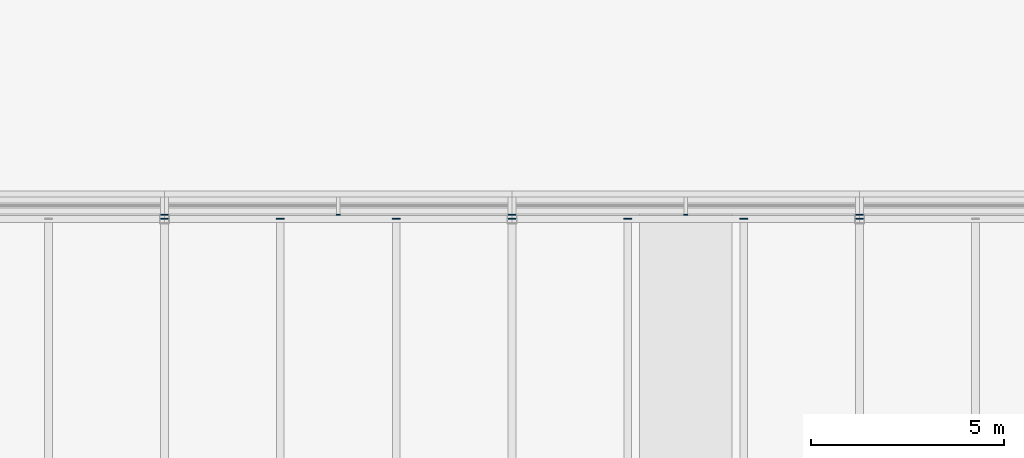
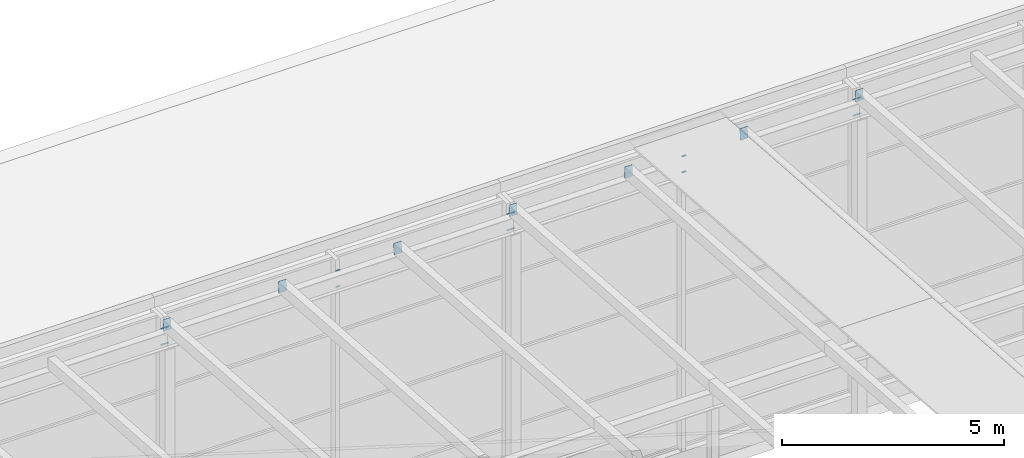
# One storey, part 75 of 84: 23 discrete accessories.
"""IFC4 building model written with IfcOpenShell, lengths in metres."""

from ifc_helpers import new_model, si_unit, direction, frame, origin, origin_2d, place, context, subcontext, project, spatial, rectangle, extrude, material, layer, layer_set, type_object, element, save


model = new_model("IFC4")

# Units and contexts
model_context = context("Model", 3, precision=1e-05, world=origin(), true_north=direction((0.0, 1.0)))
body_context = subcontext(model_context, "Body", "Model", "MODEL_VIEW")
ifc_project = project(units=[si_unit("LENGTHUNIT", "METRE"), si_unit("AREAUNIT", "SQUARE_METRE"), si_unit("VOLUMEUNIT", "CUBIC_METRE"), si_unit("PLANEANGLEUNIT", "RADIAN"), si_unit("MASSUNIT", "GRAM", prefix="KILO")], contexts=[model_context])

# Site, building, storey
site_placement = place(None, origin())
site = spatial("IfcSite", under=ifc_project, at=site_placement, CompositionType="ELEMENT")
building_placement = place(site_placement, origin())
building = spatial("IfcBuilding", under=site, at=building_placement, Name="Silverbay Arena", CompositionType="ELEMENT")
storey_placement = place(building_placement, frame((0.0, 0.0, 47.10009765625)))
storey = spatial("IfcBuildingStorey", under=building, at=storey_placement, Name="ROOF", CompositionType="ELEMENT", Elevation=47.10009765625)

# Discrete accessories
ifc_material_1 = material(Name="Steel S355", Category="steel")
ifc_layer = layer(ifc_material_1, 0.011962890625)
ifc_layer_set = layer_set([ifc_layer], Name="Steel S355")
discrete_accessory_type_1 = type_object("IfcDiscreteAccessoryType", Name="Purlin end plate 12", PredefinedType="USERDEFINED", material=ifc_layer_set)
for number, where, z_axis, x_axis, name in (
    (1, (99.0, 135.0, 8.74951171875), (0.0, 0.996684615823, -0.081362009455), (-1.0, 0.0, 0.0), "Purlin end plate"),
    (2, (102.0, 135.0, 8.74951171875), (0.0, 0.996684615823, -0.081362009455), (-1.0, 0.0, 0.0), "Purlin end plate"),
    (3, (105.0, 135.0, 8.74951171875), (0.0, 0.996684615823, -0.081362009455), (-1.0, 0.0, 0.0), "Purlin end plate"),
    (4, (108.0, 135.0, 8.74951171875), (0.0, 0.996684615823, -0.081362009455), (-1.0, 0.0, 0.0), "Purlin end plate"),
    (5, (111.0, 135.0, 8.74951171875), (0.0, 0.996684615823, -0.081362009455), (-1.0, 0.0, 0.0), "Purlin end plate"),
    (6, (114.0, 135.0, 8.74951171875), (0.0, 0.996684615823, -0.081362009455), (-1.0, 0.0, 0.0), "Purlin end plate"),
    (7, (117.0, 135.0, 8.74951171875), (0.0, 0.996684615823, -0.081362009455), (-1.0, 0.0, 0.0), "Purlin end plate"),
):
    element("IfcDiscreteAccessory", number, at=place(storey_placement, frame(where, z_axis=z_axis, x_axis=x_axis)), inside=storey, type_object=discrete_accessory_type_1, Name=name, ObjectType="END PLATE", PredefinedType="USERDEFINED", context=body_context, shape_type="SweptSolid", body=[
        extrude(rectangle(XDim=0.199951171875, YDim=0.300048828125, at=origin_2d()), origin(), (0.0, 0.0, 1.0), 0.011962890625),
    ])
ifc_material_2 = material(Name="Steel S355", Category="steel")
discrete_accessory_type_2 = type_object("IfcDiscreteAccessoryType", Name="Steel bracket plate", PredefinedType="BRACKET", material=ifc_material_2)
for number, where, z_axis, x_axis, name in (
    (8, (98.949951171875, 135.10986328125, 8.58642578125), (0.0, 0.0, 1.0), (1.0, 0.0, 0.0), "Curtain wall packing plate"),
    (9, (98.949951171875, 135.10986328125, 8.145751953125), (0.0, 0.0, 1.0), (1.0, 0.0, 0.0), "Curtain wall packing plate"),
    (10, (99.050048828125, 135.10986328125, 8.58642578125), (0.0, 0.0, 1.0), (1.0, 0.0, 0.0), "Curtain wall packing plate"),
    (11, (99.050048828125, 135.10986328125, 8.145751953125), (0.0, 0.0, 1.0), (1.0, 0.0, 0.0), "Curtain wall packing plate"),
    (12, (103.5, 135.10986328125, 8.58642578125), (0.0, 0.0, 1.0), (1.0, 0.0, 0.0), "Curtain wall packing plate"),
    (13, (103.5, 135.10986328125, 8.145751953125), (0.0, 0.0, 1.0), (1.0, 0.0, 0.0), "Curtain wall packing plate"),
    (14, (107.949951171875, 135.10986328125, 8.58642578125), (0.0, 0.0, 1.0), (1.0, 0.0, 0.0), "Curtain wall packing plate"),
    (15, (107.949951171875, 135.10986328125, 8.145751953125), (0.0, 0.0, 1.0), (1.0, 0.0, 0.0), "Curtain wall packing plate"),
    (16, (108.050048828125, 135.10986328125, 8.58642578125), (0.0, 0.0, 1.0), (1.0, 0.0, 0.0), "Curtain wall packing plate"),
    (17, (108.050048828125, 135.10986328125, 8.145751953125), (0.0, 0.0, 1.0), (1.0, 0.0, 0.0), "Curtain wall packing plate"),
    (18, (112.5, 135.10986328125, 8.58642578125), (0.0, 0.0, 1.0), (1.0, 0.0, 0.0), "Curtain wall packing plate"),
    (19, (112.5, 135.10986328125, 8.145751953125), (0.0, 0.0, 1.0), (1.0, 0.0, 0.0), "Curtain wall packing plate"),
    (20, (116.949951171875, 135.10986328125, 8.58642578125), (0.0, 0.0, 1.0), (1.0, 0.0, 0.0), "Curtain wall packing plate"),
    (21, (116.949951171875, 135.10986328125, 8.145751953125), (0.0, 0.0, 1.0), (1.0, 0.0, 0.0), "Curtain wall packing plate"),
    (22, (117.050048828125, 135.10986328125, 8.58642578125), (0.0, 0.0, 1.0), (1.0, 0.0, 0.0), "Curtain wall packing plate"),
    (23, (117.050048828125, 135.10986328125, 8.145751953125), (0.0, 0.0, 1.0), (1.0, 0.0, 0.0), "Curtain wall packing plate"),
):
    element("IfcDiscreteAccessory", number, at=place(storey_placement, frame(where, z_axis=z_axis, x_axis=x_axis)), inside=storey, type_object=discrete_accessory_type_2, Name=name, PredefinedType="BRACKET", context=body_context, shape_type="SweptSolid", body=[
        extrude(rectangle(XDim=0.10009765625, YDim=0.030029296875, at=origin_2d()), origin(), (0.0, 0.0, 1.0), 0.0126953125),
    ])

save(model, "model.ifc")
